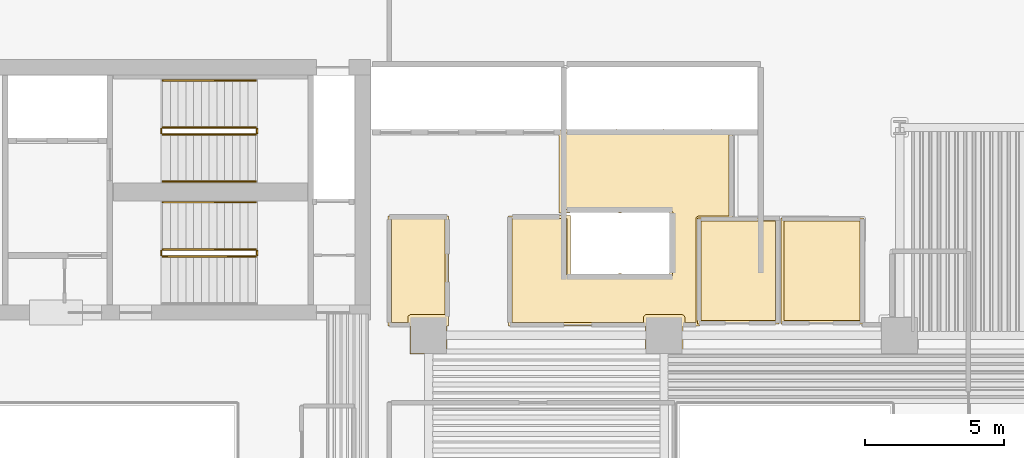
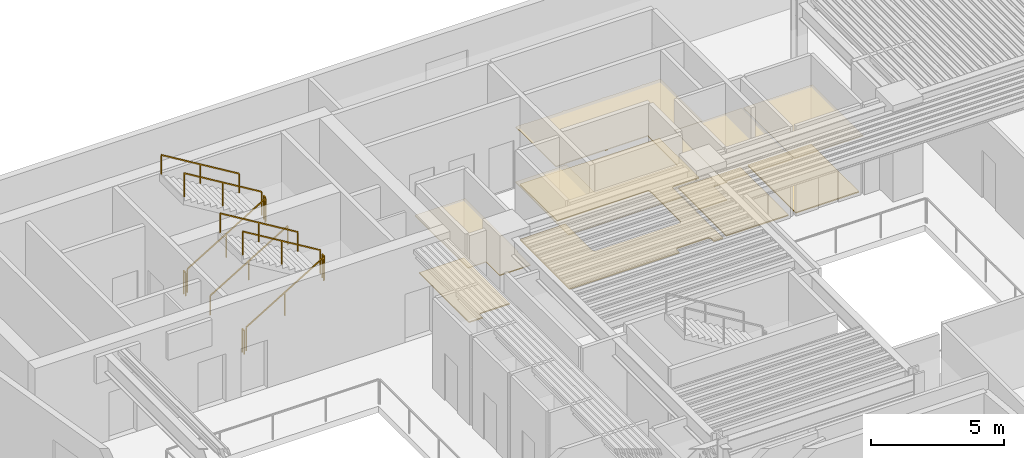
# One storey, part 11 of 12: 11 railings, 8 coverings.
"""IFC4 building model written with IfcOpenShell, lengths in metres."""

from ifc_helpers import new_model, si_unit, direction, frame, origin, origin_2d, place, context, subcontext, project, spatial, polyline, rectangle, outline, extrude, material, layer, layer_set, type_object, element, save


model = new_model("IFC4")

# Units and contexts
model_context = context("Model", 3, precision=1e-05, world=origin(), true_north=direction((0.0, 1.0)))
body_context = subcontext(model_context, "Body", "Model", "MODEL_VIEW")
ifc_project = project(units=[si_unit("LENGTHUNIT", "METRE"), si_unit("AREAUNIT", "SQUARE_METRE"), si_unit("VOLUMEUNIT", "CUBIC_METRE"), si_unit("PLANEANGLEUNIT", "RADIAN"), si_unit("MASSUNIT", "GRAM", prefix="KILO")], contexts=[model_context])

# Site, building, storey
site_placement = place(None, origin())
site = spatial("IfcSite", under=ifc_project, at=site_placement, CompositionType="ELEMENT")
building_placement = place(site_placement, origin())
building = spatial("IfcBuilding", under=site, at=building_placement, Name="Caeloran Harvest Quay", CompositionType="ELEMENT")
storey_placement = place(building_placement, frame((0.0, 0.0, 97.39990234375)))
storey = spatial("IfcBuildingStorey", under=building, at=storey_placement, Name="L22", CompositionType="ELEMENT", Elevation=97.39990234375)

# Coverings
ifc_material_1 = material(Name="Perforated Mineral-Fibre Acoustic Ceiling Tile", Category="ceiling")
ifc_layer_1 = layer(ifc_material_1, 0.0400390625, Name="Perforated Mineral-Fibre Acoustic Ceiling Tile")
ifc_layer_set_1 = layer_set([ifc_layer_1], Name="Perforated Mineral-Fibre Acoustic Ceiling Tile")
covering_type_1 = type_object("IfcCoveringType", Name="COV-CEILING-ACOUSTIC", PredefinedType="CEILING", material=ifc_layer_set_1)
covering_1_placement = place(storey_placement, frame((0.0, 0.0, 2.60009765625)))
element("IfcCovering", 1, at=covering_1_placement, inside=storey, type_object=covering_type_1, Name="L22 Core Telemetry West Room Acoustic Ceiling", PredefinedType="CEILING", context=body_context, shape_type="SweptSolid", body=[
    extrude(outline(polyline([(38.139892578125, 35.239990234375), (38.139892578125, 31.409912109375), (35.2099609375, 31.409912109375), (35.2099609375, 35.239990234375), (38.139892578125, 35.239990234375)])), origin(), (0.0, 0.0, 1.0), 0.0400390625),
])
covering_2_placement = place(storey_placement, frame((0.0, 0.0, 2.60009765625)))
element("IfcCovering", 2, at=covering_2_placement, inside=storey, type_object=covering_type_1, Name="L22 Core Metering East Room Acoustic Ceiling", PredefinedType="CEILING", context=body_context, shape_type="SweptSolid", body=[
    extrude(outline(polyline([(41.18994140625, 35.239990234375), (41.18994140625, 31.409912109375), (38.2099609375, 31.409912109375), (38.2099609375, 35.239990234375), (41.18994140625, 35.239990234375)])), origin(), (0.0, 0.0, 1.0), 0.0400390625),
])
covering_3_placement = place(storey_placement, frame((0.0, 0.0, 2.60009765625)))
element("IfcCovering", 3, at=covering_3_placement, inside=storey, type_object=covering_type_1, Name="Partner Boardroom Acoustic Ceiling", PredefinedType="CEILING", context=body_context, shape_type="SweptSolid", body=[
    extrude(outline(polyline([(26.169921875, 30.330078125), (24.830078125, 30.330078125), (24.830078125, 31.340087890625), (24.0400390625, 31.340087890625), (24.0400390625, 35.31005859375), (26.2099609375, 35.31005859375), (26.2099609375, 31.340087890625), (26.169921875, 31.340087890625), (26.169921875, 30.330078125)])), origin(), (0.0, 0.0, 1.0), 0.0400390625),
])
covering_4_placement = place(storey_placement, frame((0.0, 0.0, 2.60009765625)))
element("IfcCovering", 4, at=covering_4_placement, inside=storey, type_object=covering_type_1, Name="Executive Agronomy Design Studio 8 Acoustic Ceiling", PredefinedType="CEILING", context=body_context, shape_type="SweptSolid", body=[
    extrude(outline(polyline([(34.669921875, 30.330078125), (33.330078125, 30.330078125), (33.330078125, 31.340087890625), (28.389892578125, 31.340087890625), (28.389892578125, 35.31005859375), (30.212890625, 35.31005859375), (30.22021484375, 35.330078125), (30.610107421875, 35.330078125), (30.610107421875, 33.2099609375), (32.34130859375, 33.2099609375), (32.34423828125, 33.2294921875), (32.39990234375, 33.23779296875), (32.452880859375, 33.22998046875), (32.4580078125, 33.2099609375), (34.18994140625, 33.2099609375), (34.18994140625, 35.43994140625), (32.458740234375, 35.43994140625), (32.455810546875, 35.42041015625), (32.39990234375, 35.412109375), (32.346923828125, 35.420166015625), (32.342041015625, 35.43994140625), (30.607177734375, 35.43994140625), (30.599853515625, 35.419921875), (30.2099609375, 35.419921875), (30.2099609375, 38.212890625), (30.18994140625, 38.22021484375), (30.18994140625, 38.409912109375), (30.27294921875, 38.409912109375), (30.280029296875, 38.429931640625), (30.599853515625, 38.429931640625), (30.607177734375, 38.409912109375), (32.211181640625, 38.409912109375), (32.214111328125, 38.429443359375), (32.27001953125, 38.437744140625), (32.322998046875, 38.429931640625), (32.327880859375, 38.409912109375), (33.931396484375, 38.409912109375), (33.93408203125, 38.429443359375), (33.989990234375, 38.437744140625), (34.04296875, 38.429931640625), (34.0478515625, 38.409912109375), (35.6513671875, 38.409912109375), (35.654296875, 38.429443359375), (35.7099609375, 38.437744140625), (35.762939453125, 38.429931640625), (35.767822265625, 38.409912109375), (36.4599609375, 38.409912109375), (36.4599609375, 35.18994140625), (35.260009765625, 35.18994140625), (35.260009765625, 31.45703125), (35.280029296875, 31.449951171875), (35.280029296875, 31.340087890625), (34.669921875, 31.340087890625), (34.669921875, 30.330078125)])), origin(), (0.0, 0.0, 1.0), 0.0400390625),
])
ifc_material_2 = material(Name="Calcium-Sulphate Raised Access Floor and Terrazzo Finish", Category="flooring")
ifc_layer_2 = layer(ifc_material_2, 0.050048828125, Name="Calcium-Sulphate Raised Access Floor and Terrazzo Finish")
ifc_layer_set_2 = layer_set([ifc_layer_2], Name="Calcium-Sulphate Raised Access Floor and Terrazzo Finish")
covering_type_2 = type_object("IfcCoveringType", Name="COV-FLOOR-RAISED", PredefinedType="FLOORING", material=ifc_layer_set_2)
covering_5_placement = place(storey_placement, origin())
element("IfcCovering", 5, at=covering_5_placement, inside=storey, type_object=covering_type_2, Name="L22 Core Telemetry West Room Raised Finish Flooring", PredefinedType="FLOORING", context=body_context, shape_type="SweptSolid", body=[
    extrude(outline(polyline([(38.02001953125, 35.1201171875), (38.02001953125, 31.530029296875), (35.330078125, 31.530029296875), (35.330078125, 35.1201171875), (38.02001953125, 35.1201171875)])), origin(), (0.0, 0.0, 1.0), 0.050048828125),
])
covering_6_placement = place(storey_placement, origin())
element("IfcCovering", 6, at=covering_6_placement, inside=storey, type_object=covering_type_2, Name="L22 Core Metering East Room Raised Finish Flooring", PredefinedType="FLOORING", context=body_context, shape_type="SweptSolid", body=[
    extrude(outline(polyline([(41.070068359375, 35.1201171875), (41.070068359375, 31.530029296875), (38.330078125, 31.530029296875), (38.330078125, 35.1201171875), (41.070068359375, 35.1201171875)])), origin(), (0.0, 0.0, 1.0), 0.050048828125),
])
covering_7_placement = place(storey_placement, origin())
element("IfcCovering", 7, at=covering_7_placement, inside=storey, type_object=covering_type_2, Name="Partner Boardroom Raised Finish Flooring", PredefinedType="FLOORING", context=body_context, shape_type="SweptSolid", body=[
    extrude(outline(polyline([(24.159912109375, 35.18994140625), (26.090087890625, 35.18994140625), (26.090087890625, 31.7451171875), (24.8271484375, 31.74462890625), (24.75830078125, 31.688232421875), (24.7548828125, 31.4599609375), (24.159912109375, 31.4599609375), (24.159912109375, 35.18994140625)])), origin(), (0.0, 0.0, 1.0), 0.050048828125),
])
covering_8_placement = place(storey_placement, origin())
element("IfcCovering", 8, at=covering_8_placement, inside=storey, type_object=covering_type_2, Name="Executive Agronomy Design Studio 8 Raised Finish Flooring", PredefinedType="FLOORING", context=body_context, shape_type="SweptSolid", body=[
    extrude(outline(polyline([(30.31005859375, 38.283203125), (30.343017578125, 38.31005859375), (36.340087890625, 38.2900390625), (36.340087890625, 35.31005859375), (35.2431640625, 35.309814453125), (35.17724609375, 35.282470703125), (35.141357421875, 35.217529296875), (35.139892578125, 31.4599609375), (34.7451171875, 31.4599609375), (34.74169921875, 31.688232421875), (34.6650390625, 31.7451171875), (33.3193359375, 31.743408203125), (33.256591796875, 31.6806640625), (33.2548828125, 31.4599609375), (28.510009765625, 31.4599609375), (28.510009765625, 35.18994140625), (30.489990234375, 35.2099609375), (30.489990234375, 33.196044921875), (30.564208984375, 33.095947265625), (34.199951171875, 33.090087890625), (34.2666015625, 33.112548828125), (34.306396484375, 33.171875), (34.31005859375, 35.449951171875), (34.25537109375, 35.545166015625), (30.330078125, 35.5400390625), (30.31005859375, 38.283203125)])), origin(), (0.0, 0.0, 1.0), 0.050048828125),
])

# Railings
ifc_material_3 = material(Name="Painted Steel Baluster and Top-Rail Stair Guard", Category="steel")
ifc_layer_3 = layer(ifc_material_3, 0.050048828125, Name="Painted Steel Baluster and Top-Rail Stair Guard")
ifc_layer_set_3 = layer_set([ifc_layer_3], Name="Painted Steel Baluster and Top-Rail Stair Guard")
railing_type_1 = type_object("IfcRailingType", Name="STAIR-GUARD-1100", PredefinedType="GUARDRAIL", material=ifc_layer_set_3)
railing_1_placement = place(storey_placement, frame((15.89990234375, 38.25, 0.16943359375)))
element("IfcRailing", 9, at=railing_1_placement, inside=storey, type_object=railing_type_1, Name="L22 ST-C1 stair guard 1", PredefinedType="GUARDRAIL", context=body_context, shape_type="SweptSolid", body=[
    extrude(rectangle(XDim=0.048095703125, YDim=0.048095703125, at=origin_2d()), frame((0.0, 0.0, 1.076171875), z_axis=(0.855836976705, 0.0, 0.517245656632), x_axis=(0.0, 1.0, 0.0)), (0.0, 0.0, 1.0), 3.926025390625),
    extrude(rectangle(XDim=0.0419921875, YDim=0.0419921875, at=origin_2d()), origin(), (0.0, 0.0, 1.0), 1.052001953125),
    extrude(rectangle(XDim=0.0419921875, YDim=0.0419921875, at=origin_2d()), frame((1.68017578125, 0.0, 1.015380859375)), (0.0, 0.0, 1.0), 1.052001953125),
    extrude(rectangle(XDim=0.0419921875, YDim=0.0419921875, at=origin_2d()), frame((3.360107421875, 0.0, 2.03076171875)), (0.0, 0.0, 1.0), 1.052001953125),
])
railing_2_placement = place(storey_placement, frame((19.31005859375, 38.300048828125, 2.2001953125)))
element("IfcRailing", 10, at=railing_2_placement, inside=storey, type_object=railing_type_1, Name="L22 ST-C1 stair guard 2", PredefinedType="GUARDRAIL", context=body_context, shape_type="SweptSolid", body=[
    extrude(rectangle(XDim=0.048095703125, YDim=0.048095703125, at=origin_2d()), frame((0.0, 0.0, 1.076171875), z_axis=(0.0, 1.0, 0.0), x_axis=(-1.0, 0.0, 0.0)), (0.0, 0.0, 1.0), 0.14990234375),
    extrude(rectangle(XDim=0.0419921875, YDim=0.0419921875, at=origin_2d()), origin(), (0.0, 0.0, 1.0), 1.052001953125),
    extrude(rectangle(XDim=0.0419921875, YDim=0.0419921875, at=origin_2d()), frame((0.0, 0.14990234375, 0.0)), (0.0, 0.0, 1.0), 1.052001953125),
])
railing_3_placement = place(storey_placement, frame((19.260009765625, 38.5, 2.369384765625)))
element("IfcRailing", 11, at=railing_3_placement, inside=storey, type_object=railing_type_1, Name="L22 ST-C1 stair guard 3", PredefinedType="GUARDRAIL", context=body_context, shape_type="SweptSolid", body=[
    extrude(rectangle(XDim=0.048095703125, YDim=0.048095703125, at=origin_2d()), frame((0.0, 0.0, 1.076171875), z_axis=(-0.855836976705, 0.0, 0.517245656632), x_axis=(0.0, -1.0, 0.0)), (0.0, 0.0, 1.0), 3.926025390625),
    extrude(rectangle(XDim=0.0419921875, YDim=0.0419921875, at=origin_2d()), origin(), (0.0, 0.0, 1.0), 1.052001953125),
    extrude(rectangle(XDim=0.0419921875, YDim=0.0419921875, at=origin_2d()), frame((-1.68017578125, 0.0, 1.015380859375)), (0.0, 0.0, 1.0), 1.052001953125),
    extrude(rectangle(XDim=0.0419921875, YDim=0.0419921875, at=origin_2d()), frame((-3.360107421875, 0.0, 2.03076171875)), (0.0, 0.0, 1.0), 1.052001953125),
])
railing_4_placement = place(storey_placement, frame((15.85009765625, 38.300048828125, 0.0)))
element("IfcRailing", 12, at=railing_4_placement, inside=storey, type_object=railing_type_1, Name="L22 ST-C1 stair guard 4", PredefinedType="GUARDRAIL", context=body_context, shape_type="SweptSolid", body=[
    extrude(rectangle(XDim=0.048095703125, YDim=0.048095703125, at=origin_2d()), frame((0.0, 0.0, 1.076171875), z_axis=(0.0, 1.0, 0.0), x_axis=(-1.0, 0.0, 0.0)), (0.0, 0.0, 1.0), 0.14990234375),
    extrude(rectangle(XDim=0.0419921875, YDim=0.0419921875, at=origin_2d()), origin(), (0.0, 0.0, 1.0), 1.052001953125),
    extrude(rectangle(XDim=0.0419921875, YDim=0.0419921875, at=origin_2d()), frame((0.0, 0.14990234375, 0.0)), (0.0, 0.0, 1.0), 1.052001953125),
])
railing_5_placement = place(storey_placement, frame((15.89990234375, 33.85009765625, 0.16943359375)))
element("IfcRailing", 13, at=railing_5_placement, inside=storey, type_object=railing_type_1, Name="L22 ST-C2 stair guard 1", PredefinedType="GUARDRAIL", context=body_context, shape_type="SweptSolid", body=[
    extrude(rectangle(XDim=0.048095703125, YDim=0.048095703125, at=origin_2d()), frame((0.0, 0.0, 1.076171875), z_axis=(0.855836976705, 0.0, 0.517245656632), x_axis=(0.0, 1.0, 0.0)), (0.0, 0.0, 1.0), 3.926025390625),
    extrude(rectangle(XDim=0.0419921875, YDim=0.0419921875, at=origin_2d()), origin(), (0.0, 0.0, 1.0), 1.052001953125),
    extrude(rectangle(XDim=0.0419921875, YDim=0.0419921875, at=origin_2d()), frame((1.68017578125, 0.0, 1.015380859375)), (0.0, 0.0, 1.0), 1.052001953125),
    extrude(rectangle(XDim=0.0419921875, YDim=0.0419921875, at=origin_2d()), frame((3.360107421875, 0.0, 2.03076171875)), (0.0, 0.0, 1.0), 1.052001953125),
])
railing_6_placement = place(storey_placement, frame((19.31005859375, 33.89990234375, 2.2001953125)))
element("IfcRailing", 14, at=railing_6_placement, inside=storey, type_object=railing_type_1, Name="L22 ST-C2 stair guard 2", PredefinedType="GUARDRAIL", context=body_context, shape_type="SweptSolid", body=[
    extrude(rectangle(XDim=0.048095703125, YDim=0.048095703125, at=origin_2d()), frame((0.0, 0.0, 1.076171875), z_axis=(0.0, 1.0, 0.0), x_axis=(-1.0, 0.0, 0.0)), (0.0, 0.0, 1.0), 0.150146484375),
    extrude(rectangle(XDim=0.0419921875, YDim=0.0419921875, at=origin_2d()), origin(), (0.0, 0.0, 1.0), 1.052001953125),
    extrude(rectangle(XDim=0.0419921875, YDim=0.0419921875, at=origin_2d()), frame((0.0, 0.150146484375, 0.0)), (0.0, 0.0, 1.0), 1.052001953125),
])
railing_7_placement = place(storey_placement, frame((19.260009765625, 34.10009765625, 2.369384765625)))
element("IfcRailing", 15, at=railing_7_placement, inside=storey, type_object=railing_type_1, Name="L22 ST-C2 stair guard 3", PredefinedType="GUARDRAIL", context=body_context, shape_type="SweptSolid", body=[
    extrude(rectangle(XDim=0.048095703125, YDim=0.048095703125, at=origin_2d()), frame((0.0, 0.0, 1.076171875), z_axis=(-0.855836976705, 0.0, 0.517245656632), x_axis=(0.0, -1.0, 0.0)), (0.0, 0.0, 1.0), 3.926025390625),
    extrude(rectangle(XDim=0.0419921875, YDim=0.0419921875, at=origin_2d()), origin(), (0.0, 0.0, 1.0), 1.052001953125),
    extrude(rectangle(XDim=0.0419921875, YDim=0.0419921875, at=origin_2d()), frame((-1.68017578125, 0.0, 1.015380859375)), (0.0, 0.0, 1.0), 1.052001953125),
    extrude(rectangle(XDim=0.0419921875, YDim=0.0419921875, at=origin_2d()), frame((-3.360107421875, 0.0, 2.03076171875)), (0.0, 0.0, 1.0), 1.052001953125),
])
railing_8_placement = place(storey_placement, frame((15.85009765625, 33.89990234375, 0.0)))
element("IfcRailing", 16, at=railing_8_placement, inside=storey, type_object=railing_type_1, Name="L22 ST-C2 stair guard 4", PredefinedType="GUARDRAIL", context=body_context, shape_type="SweptSolid", body=[
    extrude(rectangle(XDim=0.048095703125, YDim=0.048095703125, at=origin_2d()), frame((0.0, 0.0, 1.076171875), z_axis=(0.0, 1.0, 0.0), x_axis=(-1.0, 0.0, 0.0)), (0.0, 0.0, 1.0), 0.150146484375),
    extrude(rectangle(XDim=0.0419921875, YDim=0.0419921875, at=origin_2d()), origin(), (0.0, 0.0, 1.0), 1.052001953125),
    extrude(rectangle(XDim=0.0419921875, YDim=0.0419921875, at=origin_2d()), frame((0.0, 0.150146484375, 0.0)), (0.0, 0.0, 1.0), 1.052001953125),
])
ifc_material_4 = material(Name="Brushed Stainless Steel Grade 304", Category="steel")
ifc_layer_4 = layer(ifc_material_4, 0.050048828125, Name="Brushed Stainless Steel Grade 304")
ifc_layer_set_4 = layer_set([ifc_layer_4], Name="Brushed Stainless Steel Grade 304")
railing_type_2 = type_object("IfcRailingType", Name="STAIR-HANDRAIL-900", PredefinedType="HANDRAIL", material=ifc_layer_set_4)
railing_9_placement = place(storey_placement, frame((15.89990234375, 36.550048828125, 0.16943359375)))
element("IfcRailing", 17, at=railing_9_placement, inside=storey, type_object=railing_type_2, Name="L22 ST-C1 stair handrail 1", PredefinedType="HANDRAIL", context=body_context, shape_type="SweptSolid", body=[
    extrude(rectangle(XDim=0.048095703125, YDim=0.048095703125, at=origin_2d()), frame((0.0, 0.0, 0.8759765625), z_axis=(0.855836976705, 0.0, 0.517245656632), x_axis=(0.0, 1.0, 0.0)), (0.0, 0.0, 1.0), 3.926025390625),
    extrude(rectangle(XDim=0.0419921875, YDim=0.0419921875, at=origin_2d()), origin(), (0.0, 0.0, 1.0), 0.851806640625),
    extrude(rectangle(XDim=0.0419921875, YDim=0.0419921875, at=origin_2d()), frame((1.68017578125, 0.0, 1.015380859375)), (0.0, 0.0, 1.0), 0.851806640625),
    extrude(rectangle(XDim=0.0419921875, YDim=0.0419921875, at=origin_2d()), frame((3.360107421875, 0.0, 2.03076171875)), (0.0, 0.0, 1.0), 0.851806640625),
])
for number, where, name in (
    (18, (19.260009765625, 40.199951171875, 2.369384765625), "L22 ST-C1 stair handrail 2"),
    (19, (19.260009765625, 35.800048828125, 2.369384765625), "L22 ST-C2 stair handrail 2"),
):
    element("IfcRailing", number, at=place(storey_placement, frame(where)), inside=storey, type_object=railing_type_2, Name=name, PredefinedType="HANDRAIL", context=body_context, shape_type="SweptSolid", body=[
        extrude(rectangle(XDim=0.048095703125, YDim=0.048095703125, at=origin_2d()), frame((0.0, 0.0, 0.8759765625), z_axis=(-0.855836976705, 0.0, 0.517245656632), x_axis=(0.0, -1.0, 0.0)), (0.0, 0.0, 1.0), 3.926025390625),
        extrude(rectangle(XDim=0.0419921875, YDim=0.0419921875, at=origin_2d()), origin(), (0.0, 0.0, 1.0), 0.851806640625),
        extrude(rectangle(XDim=0.0419921875, YDim=0.0419921875, at=origin_2d()), frame((-1.68017578125, 0.0, 1.015380859375)), (0.0, 0.0, 1.0), 0.851806640625),
        extrude(rectangle(XDim=0.0419921875, YDim=0.0419921875, at=origin_2d()), frame((-3.360107421875, 0.0, 2.03076171875)), (0.0, 0.0, 1.0), 0.851806640625),
    ])

save(model, "model.ifc")
